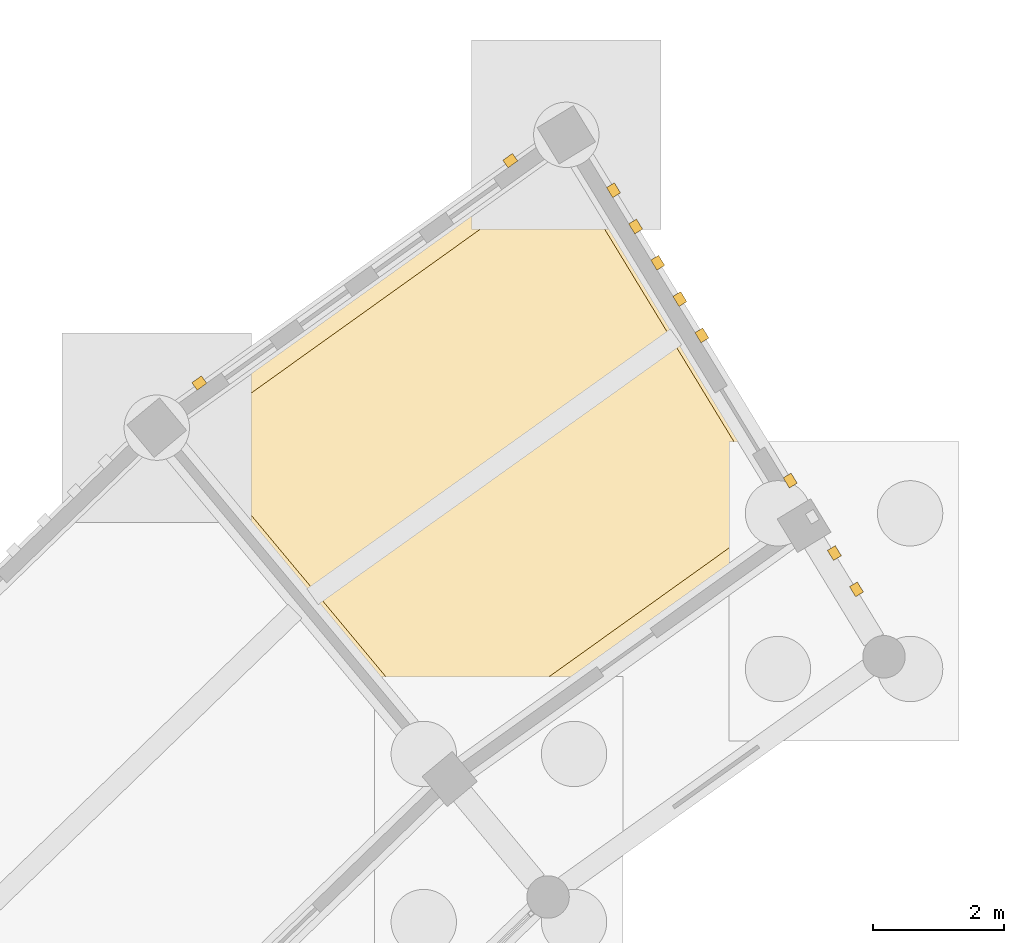
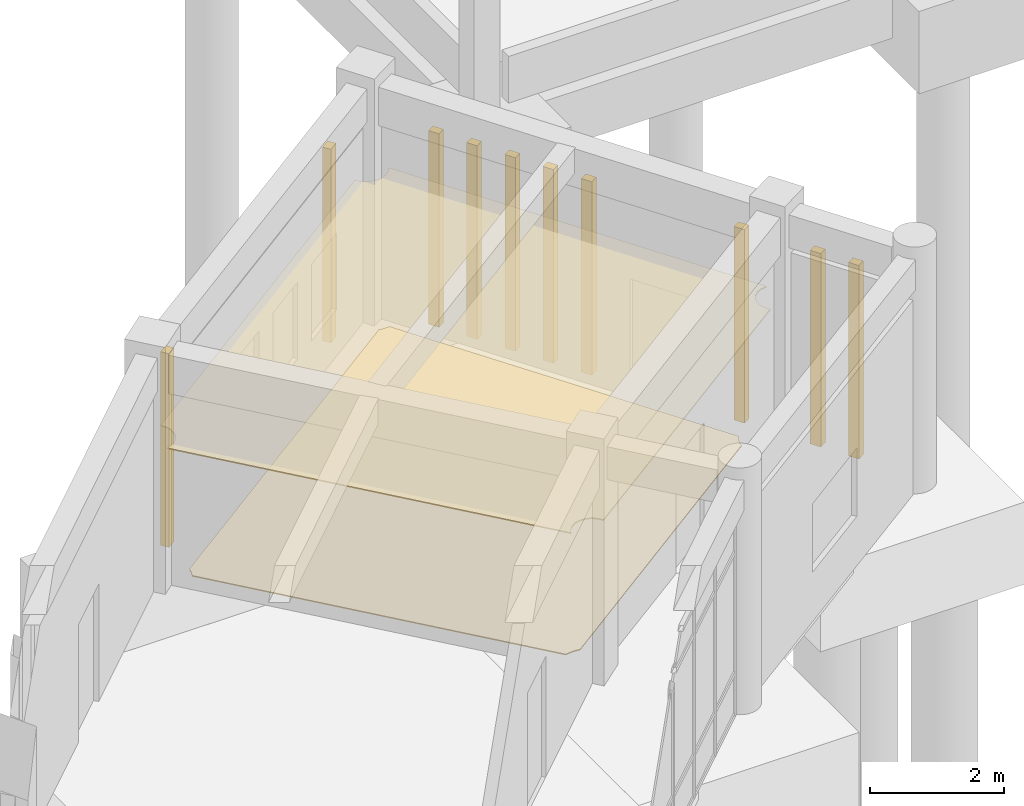
# One storey, part 148 of 153: 12 coverings.
"""IFC4 building model written with IfcOpenShell, lengths in metres."""

from ifc_helpers import new_model, si_unit, direction, frame, origin, origin_2d, place, context, subcontext, project, spatial, polyline, rectangle, outline, extrude, material, layer, layer_set, type_object, element, save


model = new_model("IFC4")

# Units and contexts
model_context = context("Model", 3, precision=1e-05, world=origin(), true_north=direction((0.0, 1.0)))
body_context = subcontext(model_context, "Body", "Model", "MODEL_VIEW")
ifc_project = project(units=[si_unit("LENGTHUNIT", "METRE"), si_unit("AREAUNIT", "SQUARE_METRE"), si_unit("VOLUMEUNIT", "CUBIC_METRE"), si_unit("PLANEANGLEUNIT", "RADIAN"), si_unit("MASSUNIT", "GRAM", prefix="KILO")], contexts=[model_context])

# Site, building, storey
site_placement = place(None, origin())
site = spatial("IfcSite", under=ifc_project, at=site_placement, CompositionType="ELEMENT")
building_placement = place(site_placement, origin())
building = spatial("IfcBuilding", under=site, at=building_placement, Name="Celadon Cloister-Ring School", CompositionType="ELEMENT")
storey_placement = place(building_placement, origin())
storey = spatial("IfcBuildingStorey", under=building, at=storey_placement, Name="L00", CompositionType="ELEMENT", Elevation=0.0)

# Coverings
ifc_material_1 = material(Name="Mineral-fibre acoustic ceiling board")
ifc_layer_1 = layer(ifc_material_1, 0.02001953125)
ifc_layer_set_1 = layer_set([ifc_layer_1], Name="Mineral-fibre acoustic ceiling board")
covering_type_1 = type_object("IfcCoveringType", Name="CV-CL1", PredefinedType="CEILING", material=ifc_layer_set_1)
covering_1_placement = place(storey_placement, frame((0.0, 0.0, 2.550048828125)))
element("IfcCovering", 1, at=covering_1_placement, inside=storey, type_object=covering_type_1, Name="Acoustic Ceiling 0002", PredefinedType="CEILING", context=body_context, shape_type="SweptSolid", body=[
    extrude(outline(polyline([(57.8798828125, 93.660888671875), (53.785888671875, 98.56201171875), (53.760986328125, 98.60107421875), (53.8349609375, 98.6220703125), (53.922119140625, 98.674072265625), (53.969970703125, 98.721923828125), (54.02197265625, 98.80908203125), (54.0458984375, 98.906982421875), (54.0458984375, 98.97509765625), (54.02197265625, 99.072998046875), (53.970947265625, 99.157958984375), (59.677001953125, 103.239013671875), (59.72509765625, 103.177978515625), (59.805908203125, 103.117919921875), (59.868896484375, 103.092041015625), (59.968994140625, 103.076904296875), (60.069091796875, 103.092041015625), (60.132080078125, 103.117919921875), (60.212890625, 103.177978515625), (60.27294921875, 103.259033203125), (60.302978515625, 103.221923828125), (63.595947265625, 97.80908203125), (63.615966796875, 97.761962890625), (63.514892578125, 97.748046875), (63.429931640625, 97.7080078125), (63.361083984375, 97.64501953125), (63.31201171875, 97.56396484375), (63.2900390625, 97.472900390625), (63.2939453125, 97.3798828125), (63.325927734375, 97.291015625), (63.373046875, 97.22509765625), (58.467041015625, 93.716064453125), (58.410888671875, 93.791015625), (58.3359375, 93.846923828125), (58.2470703125, 93.87890625), (58.154052734375, 93.883056640625), (58.06298828125, 93.861083984375), (57.98193359375, 93.81201171875), (57.9189453125, 93.742919921875), (57.8798828125, 93.660888671875)])), origin(), (0.0, 0.0, 1.0), 0.02001953125),
])
ifc_material_2 = material(Name="Polished cement-marble terrazzo tile", Category="masonry")
ifc_layer_2 = layer(ifc_material_2, 0.01806640625)
ifc_layer_set_2 = layer_set([ifc_layer_2], Name="Polished cement-marble terrazzo tile")
covering_type_2 = type_object("IfcCoveringType", Name="CV-FL1", PredefinedType="FLOORING", material=ifc_layer_set_2)
covering_2_placement = place(storey_placement, origin())
element("IfcCovering", 2, at=covering_2_placement, inside=storey, type_object=covering_type_2, Name="Terrazzo Flooring 0001", PredefinedType="FLOORING", context=body_context, shape_type="SweptSolid", body=[
    extrude(outline(polyline([(54.240966796875, 98.68798828125), (54.248046875, 98.701904296875), (54.257080078125, 98.72509765625), (54.26904296875, 98.757080078125), (54.27587890625, 98.780029296875), (54.283935546875, 98.81298828125), (54.2890625, 98.8369140625), (54.2919921875, 98.85888671875), (59.85595703125, 102.837890625), (59.864990234375, 102.8359375), (59.89892578125, 102.8310546875), (59.923095703125, 102.8291015625), (59.95703125, 102.826904296875), (59.98095703125, 102.826904296875), (60.014892578125, 102.8291015625), (60.037109375, 102.8310546875), (63.1279296875, 97.75), (63.126953125, 97.748046875), (63.111083984375, 97.720947265625), (63.10009765625, 97.699951171875), (63.0859375, 97.6708984375), (63.076904296875, 97.64892578125), (63.06591796875, 97.618896484375), (63.05908203125, 97.595947265625), (63.052001953125, 97.56494140625), (63.047119140625, 97.541015625), (63.04296875, 97.51806640625), (58.298095703125, 94.123046875), (58.283935546875, 94.1259765625), (58.2529296875, 94.131103515625), (58.22900390625, 94.133056640625), (58.197021484375, 94.135009765625), (58.173095703125, 94.135009765625), (58.14111328125, 94.133056640625), (58.116943359375, 94.131103515625), (58.0859375, 94.1259765625), (58.06201171875, 94.12109375), (58.052001953125, 94.118896484375), (54.240966796875, 98.68798828125)])), origin(), (0.0, 0.0, 1.0), 0.01806640625),
])
ifc_material_3 = material(Name="Perforated terracotta clay brick masonry", Category="masonry")
ifc_layer_3 = layer(ifc_material_3, 0.139892578125)
ifc_layer_set_3 = layer_set([ifc_layer_3], Name="Perforated terracotta clay brick masonry")
covering_type_3 = type_object("IfcCoveringType", Name="CV-SC1", PredefinedType="CLADDING", material=ifc_layer_set_3)
for number, where, z_axis, x_axis, name in (
    (3, (54.35400390625, 99.6240234375, 0.0), (0.0, 0.0, 1.0), (0.813374989743, 0.58173974083, 0.0), "Brick Screen Rib 0001"),
    (4, (59.112060546875, 103.027099609375, 0.0), (0.0, 0.0, 1.0), (0.813374989743, 0.58173974083, 0.0), "Brick Screen Rib 0002"),
    (5, (60.69189453125, 102.573974609375, 0.0), (0.0, 0.0, 1.0), (0.51986207177, -0.854250212956, 0.0), "Brick Screen Rib 0108"),
    (6, (61.030029296875, 102.01904296875, 0.0), (0.0, 0.0, 1.0), (0.51986207177, -0.854250212956, 0.0), "Brick Screen Rib 0109"),
    (7, (61.367919921875, 101.464111328125, 0.0), (0.0, 0.0, 1.0), (0.51986207177, -0.854250212956, 0.0), "Brick Screen Rib 0110"),
    (8, (61.7060546875, 100.908935546875, 0.0), (0.0, 0.0, 1.0), (0.51986207177, -0.854250212956, 0.0), "Brick Screen Rib 0111"),
    (9, (62.0439453125, 100.35302734375, 0.0), (0.0, 0.0, 1.0), (0.51986207177, -0.854250212956, 0.0), "Brick Screen Rib 0112"),
    (10, (63.39501953125, 98.132080078125, 0.0), (0.0, 0.0, 1.0), (0.51986207177, -0.854250212956, 0.0), "Brick Screen Rib 0113"),
    (11, (64.071044921875, 97.02197265625, 0.0), (0.0, 0.0, 1.0), (0.51986207177, -0.854250212956, 0.0), "Brick Screen Rib 0115"),
    (12, (64.408935546875, 96.467041015625, 0.0), (0.0, 0.0, 1.0), (0.51986207177, -0.854250212956, 0.0), "Brick Screen Rib 0116"),
):
    element("IfcCovering", number, at=place(storey_placement, frame(where, z_axis=z_axis, x_axis=x_axis)), inside=storey, type_object=covering_type_3, Name=name, PredefinedType="CLADDING", context=body_context, shape_type="SweptSolid", body=[
        extrude(rectangle(XDim=0.179931640625, YDim=0.139892578125, at=origin_2d()), origin(), (0.0, 0.0, 1.0), 3.530029296875),
    ])

save(model, "model.ifc")
